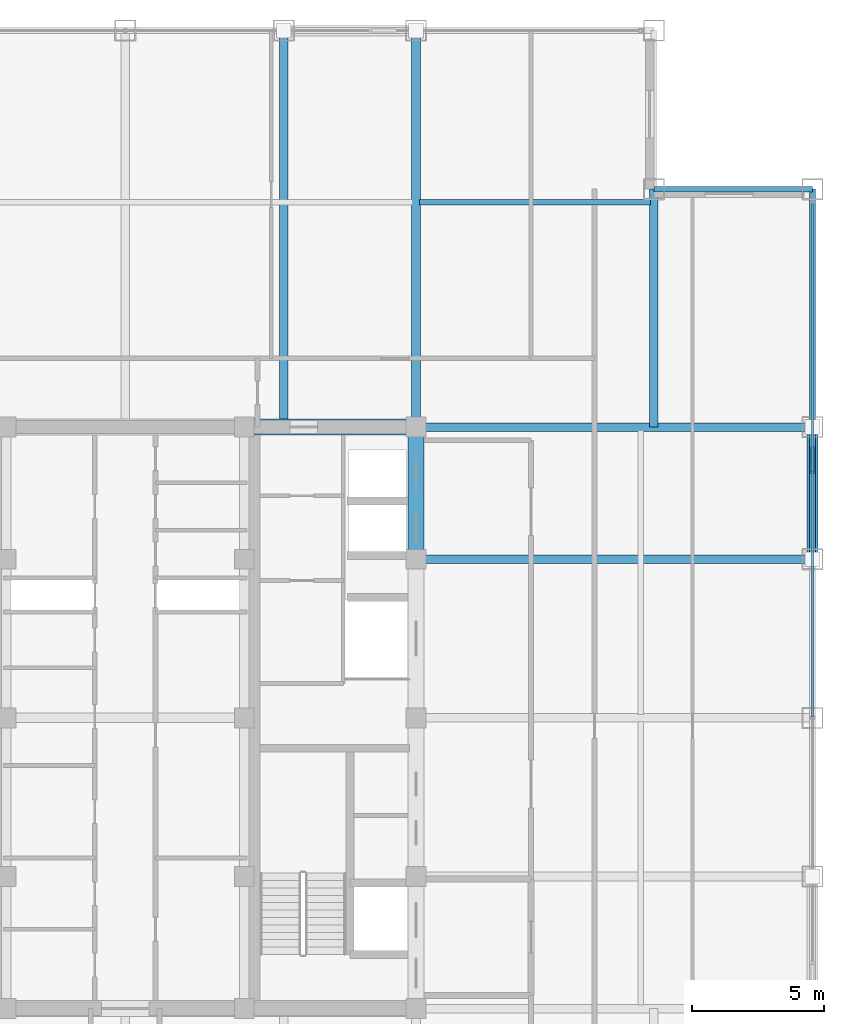
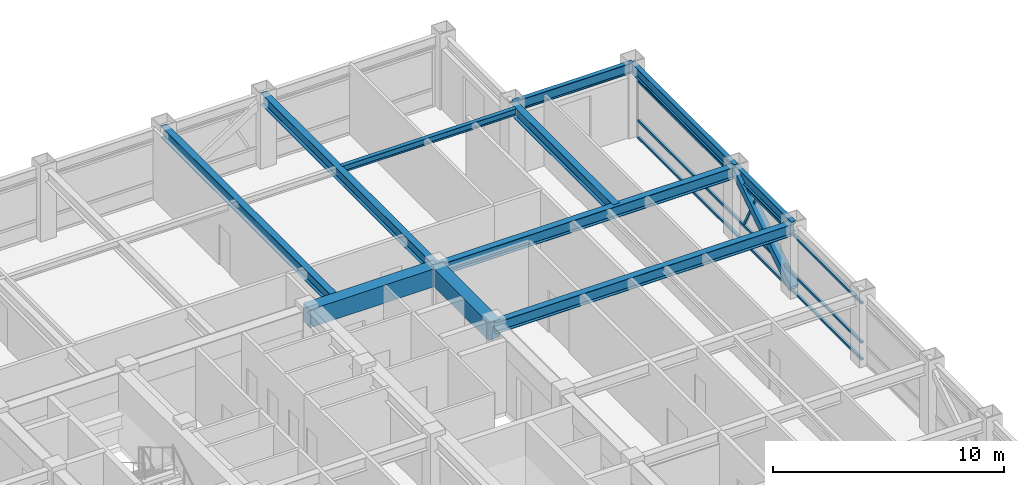
# One storey, part 19 of 28: 11 beams, 5 members, 1 element without a shape of its own.
"""IFC4 building model written with IfcOpenShell, lengths in metres."""

from ifc_helpers import new_model, si_unit, direction, frame, origin, origin_2d, place, context, subcontext, project, spatial, rectangle, hollow_rectangle, i_section, extrude, source, transform, mapped, material, material_profile, profile_set, type_object, element, aggregate, save


model = new_model("IFC4")

# Units and contexts
model_context = context("Model", 3, precision=1e-05, world=origin(), true_north=direction((0.0, 1.0)))
body_context = subcontext(model_context, "Body", "Model", "MODEL_VIEW")
ifc_project = project(units=[si_unit("LENGTHUNIT", "METRE"), si_unit("AREAUNIT", "SQUARE_METRE"), si_unit("VOLUMEUNIT", "CUBIC_METRE"), si_unit("PLANEANGLEUNIT", "RADIAN"), si_unit("MASSUNIT", "GRAM", prefix="KILO")], contexts=[model_context])

# Site, building, storey
site_placement = place(None, origin())
site = spatial("IfcSite", under=ifc_project, at=site_placement, CompositionType="ELEMENT")
building_placement = place(site_placement, origin())
building = spatial("IfcBuilding", under=site, at=building_placement, Name="Khorayat Bourse Tower", CompositionType="ELEMENT")
storey_placement = place(building_placement, frame((0.0, 0.0, 334.300048828125)))
storey = spatial("IfcBuildingStorey", under=building, at=storey_placement, Name="L79", CompositionType="ELEMENT", Elevation=334.300048828125)

# Beams
ifc_material_1 = material(Name="Concrete C60/75", Category="concrete")
ifc_material_profile_1 = material_profile(ifc_material_1, rectangle(XDim=0.60009765625, YDim=0.949951171875, at=origin_2d()), Name="RC 600x950")
ifc_profile_set_1 = profile_set([ifc_material_profile_1], Name="Concrete C60/75")
beam_type_1 = type_object("IfcBeamType", Name="BM-COUP-950", PredefinedType="BEAM", material=ifc_profile_set_1)
shared_shape_1 = source(origin(), body_context, "Body", "SweptSolid", [
    extrude(rectangle(XDim=0.60009765625, YDim=0.949951171875, at=origin_2d()), origin(), (0.0, 0.0, 1.0), 5.0),
])
beam_1_placement = place(storey_placement, frame((11.0, 6.0, 3.264892578125), z_axis=(0.0, 1.0, 0.0), x_axis=(-1.0, 0.0, 0.0)))
element("IfcBeam", 1, at=beam_1_placement, inside=storey, type_object=beam_type_1, Name="L79 BM-COUP-950 BM-L79-CRX-16", PredefinedType="BEAM", context=body_context, shape_type="MappedRepresentation", body=[
    mapped(shared_shape_1, transform((0.0, 0.0, 0.0), scale=1.0)),
])
shared_shape_2 = source(origin(), body_context, "Body", "SweptSolid", [
    extrude(rectangle(XDim=0.60009765625, YDim=0.949951171875, at=origin_2d()), origin(), (0.0, 0.0, 1.0), 6.5),
])
beam_2_placement = place(storey_placement, frame((4.5, 11.0, 3.264892578125), z_axis=(1.0, 0.0, 0.0), x_axis=(0.0, 1.0, 0.0)))
element("IfcBeam", 2, at=beam_2_placement, inside=storey, type_object=beam_type_1, Name="L79 BM-COUP-950 BM-L79-CRY-22", PredefinedType="BEAM", context=body_context, shape_type="MappedRepresentation", body=[
    mapped(shared_shape_2, transform((0.0, 0.0, 0.0), scale=1.0)),
])
ifc_material_2 = material(Name="Steel ASTM A992 Grade 50", Category="steel")
ifc_material_profile_2 = material_profile(ifc_material_2, i_section(OverallWidth=0.214111328125, OverallDepth=0.549072265625, WebThickness=0.0146484375, FlangeThickness=0.023681640625, FilletRadius=0.013916015625, at=origin_2d()), Name="W530X138")
ifc_profile_set_2 = profile_set([ifc_material_profile_2], Name="Steel ASTM A992 Grade 50")
beam_type_2 = type_object("IfcBeamType", Name="BM-SPAN-530", PredefinedType="SPANDREL", material=ifc_profile_set_2)
shared_shape_3 = source(origin(), body_context, "Body", "SweptSolid", [
    extrude(i_section(OverallWidth=0.214111328125, OverallDepth=0.549072265625, WebThickness=0.0146484375, FlangeThickness=0.023681640625, FilletRadius=0.013916015625, at=origin_2d()), origin(), (0.0, 0.0, 1.0), 9.0),
])
beam_3_placement = place(storey_placement, frame((26.0, 11.0, 3.46533203125), z_axis=(0.0, 1.0, 0.0), x_axis=(-1.0, 0.0, 0.0)))
element("IfcBeam", 3, at=beam_3_placement, inside=storey, type_object=beam_type_2, Name="L79 BM-SPAN-530 BM-L79-SPN-037", PredefinedType="SPANDREL", context=body_context, shape_type="MappedRepresentation", body=[
    mapped(shared_shape_3, transform((0.0, 0.0, 0.0), scale=1.0)),
])
shared_shape_4 = source(origin(), body_context, "Body", "SweptSolid", [
    extrude(i_section(OverallWidth=0.214111328125, OverallDepth=0.549072265625, WebThickness=0.0146484375, FlangeThickness=0.023681640625, FilletRadius=0.013916015625, at=origin_2d()), origin(), (0.0, 0.0, 1.0), 5.0),
])
beam_4_placement = place(storey_placement, frame((26.0, 6.0, 3.46533203125), z_axis=(0.0, 1.0, 0.0), x_axis=(-1.0, 0.0, 0.0)))
element("IfcBeam", 4, at=beam_4_placement, inside=storey, type_object=beam_type_2, Name="L79 BM-SPAN-530 BM-L79-SPN-036", PredefinedType="SPANDREL", context=body_context, shape_type="MappedRepresentation", body=[
    mapped(shared_shape_4, transform((0.0, 0.0, 0.0), scale=1.0)),
])
shared_shape_5 = source(origin(), body_context, "Body", "SweptSolid", [
    extrude(i_section(OverallWidth=0.214111328125, OverallDepth=0.549072265625, WebThickness=0.0146484375, FlangeThickness=0.023681640625, FilletRadius=0.013916015625, at=origin_2d()), origin(), (0.0, 0.0, 1.0), 6.0),
])
beam_5_placement = place(storey_placement, frame((20.0, 20.0, 3.46533203125), z_axis=(1.0, 0.0, 0.0), x_axis=(0.0, 1.0, 0.0)))
element("IfcBeam", 5, at=beam_5_placement, inside=storey, type_object=beam_type_2, Name="L79 BM-SPAN-530 BM-L79-SPN-038", PredefinedType="SPANDREL", context=body_context, shape_type="MappedRepresentation", body=[
    mapped(shared_shape_5, transform((0.0, 0.0, 0.0), scale=1.0)),
])
ifc_material_profile_3 = material_profile(ifc_material_2, i_section(OverallWidth=0.324951171875, OverallDepth=0.615966796875, WebThickness=0.013916015625, FlangeThickness=0.021484375, FilletRadius=0.01611328125, at=origin_2d()), Name="W610X174")
ifc_profile_set_3 = profile_set([ifc_material_profile_3], Name="Steel ASTM A992 Grade 50")
beam_type_3 = type_object("IfcBeamType", Name="BM-GIRD-610", PredefinedType="BEAM", material=ifc_profile_set_3)
shared_shape_6 = source(origin(), body_context, "Body", "SweptSolid", [
    extrude(i_section(OverallWidth=0.324951171875, OverallDepth=0.615966796875, WebThickness=0.013916015625, FlangeThickness=0.021484375, FilletRadius=0.01611328125, at=origin_2d()), origin(), (0.0, 0.0, 1.0), 15.0),
])
for number, where, z_axis, x_axis, name in (
    (6, (6.0, 11.0, 3.431884765625), (0.0, 1.0, 0.0), (-1.0, 0.0, 0.0), "L79 BM-GIRD-610 BM-L79-RADY-062"),
    (7, (11.0, 11.0, 3.431884765625), (0.0, 1.0, 0.0), (-1.0, 0.0, 0.0), "L79 BM-GIRD-610 BM-L79-RADY-064"),
    (8, (11.0, 6.0, 3.431884765625), (1.0, 0.0, 0.0), (0.0, 1.0, 0.0), "L79 BM-GIRD-610 BM-L79-RADX-072"),
    (9, (11.0, 11.0, 3.431884765625), (1.0, 0.0, 0.0), (0.0, 1.0, 0.0), "L79 BM-GIRD-610 BM-L79-RADX-074"),
):
    element("IfcBeam", number, at=place(storey_placement, frame(where, z_axis=z_axis, x_axis=x_axis)), inside=storey, type_object=beam_type_3, Name=name, PredefinedType="BEAM", context=body_context, shape_type="MappedRepresentation", body=[
        mapped(shared_shape_6, transform((0.0, 0.0, 0.0), scale=1.0)),
    ])
shared_shape_7 = source(origin(), body_context, "Body", "SweptSolid", [
    extrude(i_section(OverallWidth=0.324951171875, OverallDepth=0.615966796875, WebThickness=0.013916015625, FlangeThickness=0.021484375, FilletRadius=0.01611328125, at=origin_2d()), origin(), (0.0, 0.0, 1.0), 9.0),
])
beam_6_placement = place(storey_placement, frame((20.0, 11.0, 3.431884765625), z_axis=(0.0, 1.0, 0.0), x_axis=(-1.0, 0.0, 0.0)))
element("IfcBeam", 10, at=beam_6_placement, inside=storey, type_object=beam_type_3, Name="L79 BM-GIRD-610 BM-L79-CNRY-079", PredefinedType="BEAM", context=body_context, shape_type="MappedRepresentation", body=[
    mapped(shared_shape_7, transform((0.0, 0.0, 0.0), scale=1.0)),
])
ifc_material_profile_4 = material_profile(ifc_material_2, i_section(OverallWidth=0.202880859375, OverallDepth=0.346923828125, WebThickness=0.0078125, FlangeThickness=0.013427734375, FilletRadius=0.010009765625, at=origin_2d()), Name="W360X64")
ifc_profile_set_4 = profile_set([ifc_material_profile_4], Name="Steel ASTM A992 Grade 50")
beam_type_4 = type_object("IfcBeamType", Name="BM-JOIST-360", PredefinedType="JOIST", material=ifc_profile_set_4)
shared_shape_8 = source(origin(), body_context, "Body", "SweptSolid", [
    extrude(i_section(OverallWidth=0.202880859375, OverallDepth=0.346923828125, WebThickness=0.0078125, FlangeThickness=0.013427734375, FilletRadius=0.010009765625, at=origin_2d()), origin(), (0.0, 0.0, 1.0), 8.740234375),
])
beam_7_placement = place(storey_placement, frame((11.1298828125, 19.5, 3.56640625), z_axis=(1.0, 0.0, 0.0), x_axis=(0.0, 1.0, 0.0)))
element("IfcBeam", 11, at=beam_7_placement, inside=storey, type_object=beam_type_4, Name="L79 BM-JOIST-360 BM-L79-JSTX-085", PredefinedType="JOIST", context=body_context, shape_type="MappedRepresentation", body=[
    mapped(shared_shape_8, transform((0.0, 0.0, 0.0), scale=1.0)),
])

# Member
ifc_material_3 = material(Name="Steel EN 10025-4 S460M", Category="steel")
ifc_material_profile_5 = material_profile(ifc_material_3, hollow_rectangle(XDim=0.39990234375, YDim=0.39990234375, WallThickness=0.02197265625, at=origin_2d()), Name="HSS 400x400x22")
ifc_profile_set_5 = profile_set([ifc_material_profile_5], Name="Steel EN 10025-4 S460M")
member_type_1 = type_object("IfcMemberType", Name="MBR-TUBE-400", PredefinedType="BRACE", material=ifc_profile_set_5)
shared_shape_9 = source(origin(), body_context, "Body", "SweptSolid", [
    extrude(hollow_rectangle(XDim=0.39990234375, YDim=0.39990234375, WallThickness=0.02197265625, at=origin_2d()), origin(), (0.0, 0.0, 1.0), 5.9580078125),
])
member_1_placement = place(storey_placement, frame((26.0, 6.0, 0.25), z_axis=(0.0, 0.839210474455, 0.543806748364), x_axis=(-1.0, 0.0, 0.0)))
element("IfcMember", 12, at=member_1_placement, inside=storey, type_object=member_type_1, Name="L79 Perimeter Tube Brace 08", PredefinedType="BRACE", context=body_context, shape_type="MappedRepresentation", body=[
    mapped(shared_shape_9, transform((0.0, 0.0, 0.0), scale=1.0)),
])

# Curtain wall, members
ifc_material_4 = material(Name="Aluminium EN AW-6063 T6", Category="aluminium")
curtain_wall_type = type_object("IfcCurtainWallType", Name="CW-SYS-04", PredefinedType="NOTDEFINED", material=ifc_material_4)
curtain_wall_placement = place(storey_placement, origin())
curtain_wall = element("IfcCurtainWall", 13, at=curtain_wall_placement, inside=storey, type_object=curtain_wall_type, Name="L79 Curtain Wall CW-L79-E1", PredefinedType="NOTDEFINED")
ifc_material_profile_6 = material_profile(ifc_material_4, hollow_rectangle(XDim=0.1201171875, YDim=0.1201171875, WallThickness=0.0048828125, at=origin_2d()), Name="ALU 120x120x5")
ifc_profile_set_6 = profile_set([ifc_material_profile_6], Name="Aluminium EN AW-6063 T6")
member_type_2 = type_object("IfcMemberType", Name="CWM-DIAG-120", PredefinedType="MULLION", material=ifc_profile_set_6)
shared_shape_10 = source(origin(), body_context, "Body", "SweptSolid", [
    extrude(hollow_rectangle(XDim=0.1201171875, YDim=0.1201171875, WallThickness=0.0048828125, at=origin_2d()), origin(), (0.0, 0.0, 1.0), 2.0341796875),
])
member_2_placement = place(storey_placement, frame((26.0, 10.21875, 1.08984375), z_axis=(0.0, -0.465790950955, 0.884894790361), x_axis=(1.0, 0.0, 0.0)))
member_2 = element("IfcMember", 14, at=member_2_placement, type_object=member_type_2, Name="CW-L79-E1 Faceted Diagonal Mullion 2", PredefinedType="MULLION", context=body_context, shape_type="MappedRepresentation", body=[
    mapped(shared_shape_10, transform((0.0, 0.0, 0.0), scale=1.0)),
])
ifc_material_profile_7 = material_profile(ifc_material_4, hollow_rectangle(XDim=0.1201171875, YDim=0.1201171875, WallThickness=0.0048828125, at=origin_2d()), Name="ALU 120x120x5")
ifc_profile_set_7 = profile_set([ifc_material_profile_7], Name="Aluminium EN AW-6063 T6")
member_type_3 = type_object("IfcMemberType", Name="CWT-HORZ-120", PredefinedType="USERDEFINED", material=ifc_profile_set_7)
shared_shape_11 = source(origin(), body_context, "Body", "SweptSolid", [
    extrude(hollow_rectangle(XDim=0.1201171875, YDim=0.1201171875, WallThickness=0.0048828125, at=origin_2d()), origin(), (0.0, 0.0, 1.0), 19.369873046875),
])
member_3_placement = place(storey_placement, frame((26.0, 0.06005859375, 0.06005859375), z_axis=(0.0, 1.0, 0.0), x_axis=(-1.0, 0.0, 0.0)))
member_3 = element("IfcMember", 15, at=member_3_placement, type_object=member_type_3, Name="CW-L79-E1 Horizontal Transom 2-1", ObjectType="TRANSOM", PredefinedType="USERDEFINED", context=body_context, shape_type="MappedRepresentation", body=[
    mapped(shared_shape_11, transform((0.0, 0.0, 0.0), scale=1.0)),
])
member_4_placement = place(storey_placement, frame((26.0, 0.06005859375, 0.949951171875), z_axis=(0.0, 1.0, 0.0), x_axis=(-1.0, 0.0, 0.0)))
member_4 = element("IfcMember", 16, at=member_4_placement, type_object=member_type_3, Name="CW-L79-E1 Horizontal Transom 2-2", ObjectType="TRANSOM", PredefinedType="USERDEFINED", context=body_context, shape_type="MappedRepresentation", body=[
    mapped(shared_shape_11, transform((0.0, 0.0, 0.0), scale=1.0)),
])
member_5_placement = place(storey_placement, frame((26.0, 0.06005859375, 3.030029296875), z_axis=(0.0, 1.0, 0.0), x_axis=(-1.0, 0.0, 0.0)))
member_5 = element("IfcMember", 17, at=member_5_placement, type_object=member_type_3, Name="CW-L79-E1 Horizontal Transom 2-3", ObjectType="TRANSOM", PredefinedType="USERDEFINED", context=body_context, shape_type="MappedRepresentation", body=[
    mapped(shared_shape_11, transform((0.0, 0.0, 0.0), scale=1.0)),
])
aggregate(curtain_wall, [member_3, member_4, member_5, member_2])

save(model, "model.ifc")
